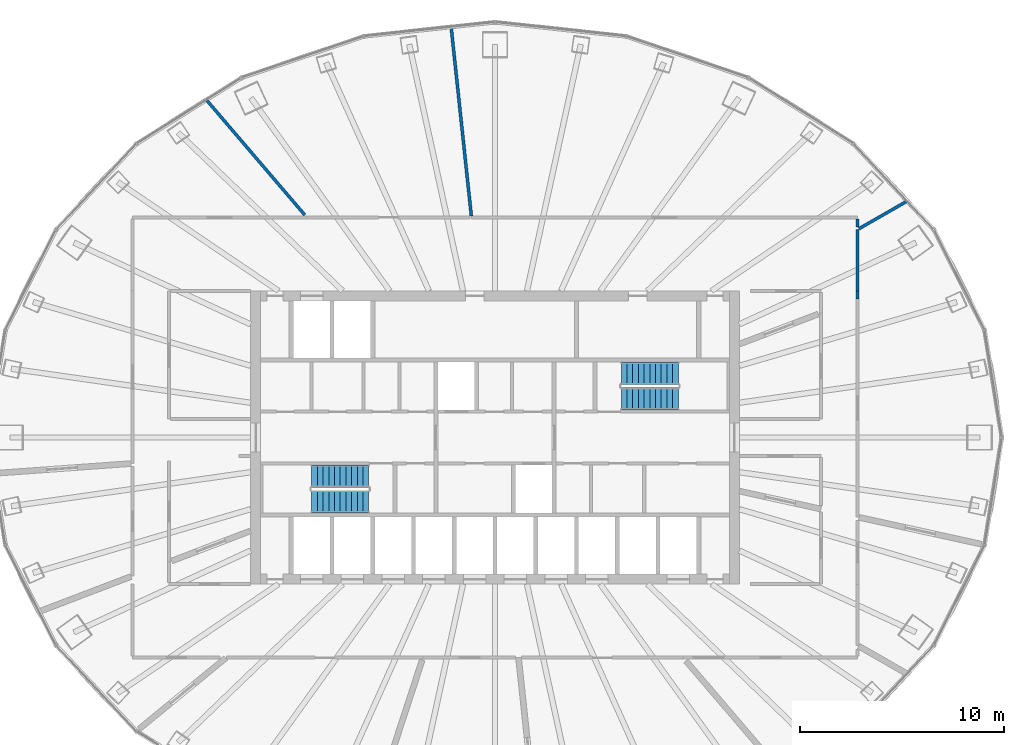
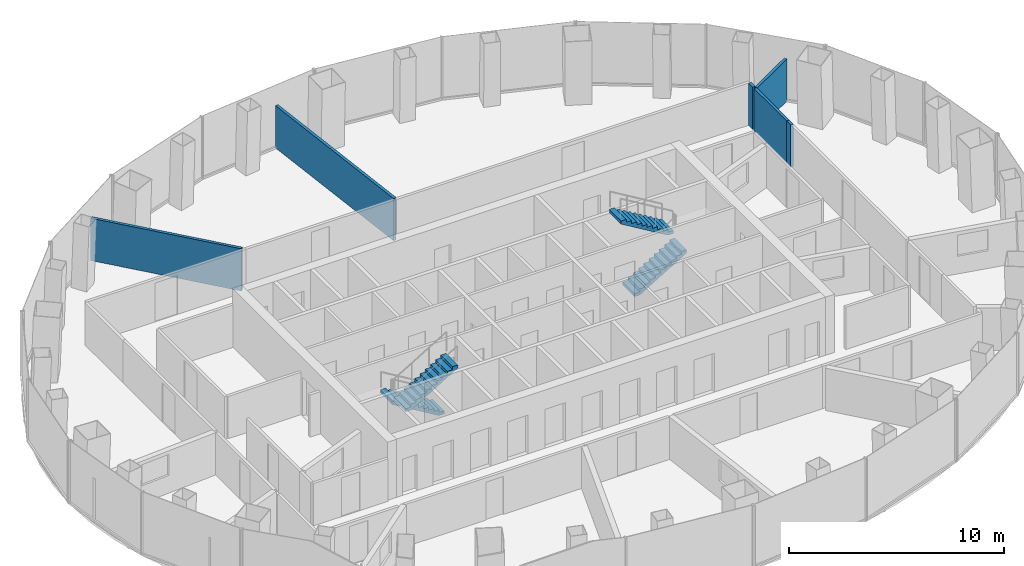
# One storey, part 11 of 12: 6 walls, 4 stair flights, 2 elements without a shape of their own.
"""IFC4 building model written with IfcOpenShell, lengths in metres."""

from ifc_helpers import new_model, si_unit, direction, frame, frame_2d, origin, place, context, subcontext, project, spatial, polyline, rectangle, outline, extrude, material, layer, layer_set, type_object, element, aggregate, save


model = new_model("IFC4")

# Units and contexts
model_context = context("Model", 3, precision=1e-05, world=origin(), true_north=direction((0.0, 1.0)))
body_context = subcontext(model_context, "Body", "Model", "MODEL_VIEW")
ifc_project = project(units=[si_unit("LENGTHUNIT", "METRE"), si_unit("AREAUNIT", "SQUARE_METRE"), si_unit("VOLUMEUNIT", "CUBIC_METRE"), si_unit("PLANEANGLEUNIT", "RADIAN"), si_unit("MASSUNIT", "GRAM", prefix="KILO")], contexts=[model_context])

# Site, building, storey
site_placement = place(None, origin())
site = spatial("IfcSite", under=ifc_project, at=site_placement, CompositionType="ELEMENT")
building_placement = place(site_placement, origin())
building = spatial("IfcBuilding", under=site, at=building_placement, Name="Siaravel Broadcast Tower", CompositionType="ELEMENT")
storey_placement = place(building_placement, frame((0.0, 0.0, 134.10009765625)))
storey = spatial("IfcBuildingStorey", under=building, at=storey_placement, Name="L32", CompositionType="ELEMENT", Elevation=134.10009765625)

# Walls
ifc_material_1 = material(Name="Gypsum board partition", Category="gypsum")
ifc_layer_1 = layer(ifc_material_1, 0.14990234375)
ifc_layer_set_1 = layer_set([ifc_layer_1], Name="Gypsum board partition")
wall_type_1 = type_object("IfcWallType", Name="Corridor wall 150", PredefinedType="PARTITIONING", material=ifc_layer_set_1)
wall_1_placement = place(storey_placement, frame((17.800048828125, 7.18798828125, 0.0), z_axis=(0.0, 0.0, 1.0), x_axis=(0.0, 1.0, 0.0)))
element("IfcWall", 1, at=wall_1_placement, inside=storey, type_object=wall_type_1, Name="L32 partition 39", PredefinedType="PARTITIONING", context=body_context, shape_type="SweptSolid", body=[
    extrude(rectangle(XDim=3.021240234375, YDim=0.14990234375, at=frame_2d((1.5107421875, 0.0))), origin(), (0.0, 0.0, 1.0), 2.39990234375),
])
wall_2_placement = place(storey_placement, frame((17.800048828125, 10.3408203125, 0.0), z_axis=(0.0, 0.0, 1.0), x_axis=(0.0, 1.0, 0.0)))
element("IfcWall", 2, at=wall_2_placement, inside=storey, type_object=wall_type_1, Name="L32 partition 46", PredefinedType="PARTITIONING", context=body_context, shape_type="SweptSolid", body=[
    extrude(rectangle(XDim=0.382080078125, YDim=0.14990234375, at=frame_2d((0.19091796875, 0.0))), origin(), (0.0, 0.0, 1.0), 2.39990234375),
])
wall_3_placement = place(storey_placement, frame((17.800048828125, 6.798828125, 0.0), z_axis=(0.0, 0.0, 1.0), x_axis=(0.0, 1.0, 0.0)))
element("IfcWall", 3, at=wall_3_placement, inside=storey, type_object=wall_type_1, Name="L32 partition 48", PredefinedType="PARTITIONING", context=body_context, shape_type="SweptSolid", body=[
    extrude(rectangle(XDim=0.38818359375, YDim=0.14990234375, at=frame_2d((0.194091796875, 0.0))), origin(), (0.0, 0.0, 1.0), 2.39990234375),
])
ifc_layer_2 = layer(ifc_material_1, 0.14990234375)
ifc_layer_set_2 = layer_set([ifc_layer_2], Name="Gypsum board partition")
wall_type_2 = type_object("IfcWallType", Name="Room partition 150", PredefinedType="PARTITIONING", material=ifc_layer_set_2)
wall_4_placement = place(storey_placement, frame((-2.152099609375, 20.147705078125, 0.0), z_axis=(0.0, 0.0, 1.0), x_axis=(0.106226181, -0.994341993, 0.0)))
element("IfcWall", 4, at=wall_4_placement, inside=storey, type_object=wall_type_2, Name="L32 partition 4", PredefinedType="PARTITIONING", context=body_context, shape_type="SweptSolid", body=[
    extrude(rectangle(XDim=9.32421875, YDim=0.14990234375, at=frame_2d((4.662109375, 0.0))), origin(), (0.0, 0.0, 1.0), 2.39990234375),
])
wall_5_placement = place(storey_placement, frame((-14.1669921875, 16.572998046875, 0.0), z_axis=(0.0, 0.0, 1.0), x_axis=(0.64976247, -0.760137312, 0.0)))
element("IfcWall", 5, at=wall_5_placement, inside=storey, type_object=wall_type_2, Name="L32 partition 12", PredefinedType="PARTITIONING", context=body_context, shape_type="SweptSolid", body=[
    extrude(rectangle(XDim=7.429931640625, YDim=0.14990234375, at=frame_2d((3.71484375, 0.0))), origin(), (0.0, 0.0, 1.0), 2.39990234375),
])
wall_6_placement = place(storey_placement, frame((17.858154296875, 10.24267578125, 0.0), z_axis=(0.0, 0.0, 1.0), x_axis=(0.867454205, 0.497517037, 0.0)))
element("IfcWall", 6, at=wall_6_placement, inside=storey, type_object=wall_type_2, Name="L32 partition 40", PredefinedType="PARTITIONING", context=body_context, shape_type="SweptSolid", body=[
    extrude(rectangle(XDim=2.74609375, YDim=0.14990234375, at=frame_2d((1.373046875, 0.0))), origin(), (0.0, 0.0, 1.0), 2.39990234375),
])

# Stair, stair flights
ifc_material_2 = material(Name="Concrete C40/50", Category="concrete")
stair_type = type_object("IfcStairType", Name="Core exit stair", PredefinedType="HALF_TURN_STAIR", material=ifc_material_2)
stair_1_placement = place(storey_placement, origin())
stair_1 = element("IfcStair", 7, at=stair_1_placement, inside=storey, type_object=stair_type, Name="L32 Exit stair ST-1", PredefinedType="HALF_TURN_STAIR")
stair_flight_type = type_object("IfcStairFlightType", Name="Stair flight 1100", PredefinedType="STRAIGHT", material=ifc_material_2)
stair_flight_1_placement = place(storey_placement, frame((-6.199951171875, -1.89990234375, 0.0), z_axis=(0.0, 0.0, 1.0), x_axis=(-1.0, 0.0, 0.0)))
stair_flight_1 = element("IfcStairFlight", 8, at=stair_flight_1_placement, type_object=stair_flight_type, Name="ST-1 flight 1", NumberOfRisers=11, NumberOfTreads=10, PredefinedType="STRAIGHT", RiserHeight=0.1681818, TreadLength=0.28, context=body_context, shape_type="SweptSolid", body=[
    extrude(outline(polyline([(0.0, 0.0), (0.0, 0.168212890625), (0.280029296875, 0.168212890625), (0.280029296875, 0.33642578125), (0.56005859375, 0.33642578125), (0.56005859375, 0.504638671875), (0.840087890625, 0.504638671875), (0.840087890625, 0.672607421875), (1.1201171875, 0.672607421875), (1.1201171875, 0.8408203125), (1.39990234375, 0.8408203125), (1.39990234375, 1.009033203125), (1.679931640625, 1.009033203125), (1.679931640625, 1.17724609375), (1.9599609375, 1.17724609375), (1.9599609375, 1.345458984375), (2.239990234375, 1.345458984375), (2.239990234375, 1.513671875), (2.52001953125, 1.513671875), (2.52001953125, 1.681884765625), (2.800048828125, 1.681884765625), (2.800048828125, 1.85009765625), (2.800048828125, 1.5068359375), (0.291015625, 0.0), (0.0, 0.0)])), frame((0.0, 0.550048828125, 0.0), z_axis=(0.0, -1.0, 0.0), x_axis=(1.0, 0.0, 0.0)), (0.0, 0.0, 1.0), 1.10009765625),
])
stair_flight_2_placement = place(storey_placement, frame((-9.0, -3.14990234375, 1.849853515625), z_axis=(0.0, 0.0, 1.0), x_axis=(1.0, 0.0, 0.0)))
stair_flight_2 = element("IfcStairFlight", 9, at=stair_flight_2_placement, type_object=stair_flight_type, Name="ST-1 flight 2", NumberOfRisers=11, NumberOfTreads=10, PredefinedType="STRAIGHT", RiserHeight=0.1681818, TreadLength=0.28, context=body_context, shape_type="SweptSolid", body=[
    extrude(outline(polyline([(0.0, 0.0), (0.0, 0.168212890625), (0.280029296875, 0.168212890625), (0.280029296875, 0.33642578125), (0.56005859375, 0.33642578125), (0.56005859375, 0.504638671875), (0.840087890625, 0.504638671875), (0.840087890625, 0.672607421875), (1.1201171875, 0.672607421875), (1.1201171875, 0.8408203125), (1.39990234375, 0.8408203125), (1.39990234375, 1.009033203125), (1.679931640625, 1.009033203125), (1.679931640625, 1.17724609375), (1.9599609375, 1.17724609375), (1.9599609375, 1.345458984375), (2.239990234375, 1.345458984375), (2.239990234375, 1.513671875), (2.52001953125, 1.513671875), (2.52001953125, 1.681884765625), (2.800048828125, 1.681884765625), (2.800048828125, 1.85009765625), (2.800048828125, 1.5068359375), (0.291015625, 0.0), (0.0, 0.0)])), frame((0.0, 0.550048828125, 0.0), z_axis=(0.0, -1.0, 0.0), x_axis=(1.0, 0.0, 0.0)), (0.0, 0.0, 1.0), 1.10009765625),
])
aggregate(stair_1, [stair_flight_1, stair_flight_2])

stair_2_placement = place(storey_placement, origin())
stair_2 = element("IfcStair", 10, at=stair_2_placement, inside=storey, type_object=stair_type, Name="L32 Exit stair ST-2", PredefinedType="HALF_TURN_STAIR")
stair_flight_3_placement = place(storey_placement, frame((6.199951171875, 1.89990234375, 0.0), z_axis=(0.0, 0.0, 1.0), x_axis=(1.0, 0.0, 0.0)))
stair_flight_3 = element("IfcStairFlight", 11, at=stair_flight_3_placement, type_object=stair_flight_type, Name="ST-2 flight 1", NumberOfRisers=11, NumberOfTreads=10, PredefinedType="STRAIGHT", RiserHeight=0.1681818, TreadLength=0.28, context=body_context, shape_type="SweptSolid", body=[
    extrude(outline(polyline([(0.0, 0.0), (0.0, 0.168212890625), (0.280029296875, 0.168212890625), (0.280029296875, 0.33642578125), (0.56005859375, 0.33642578125), (0.56005859375, 0.504638671875), (0.840087890625, 0.504638671875), (0.840087890625, 0.672607421875), (1.1201171875, 0.672607421875), (1.1201171875, 0.8408203125), (1.39990234375, 0.8408203125), (1.39990234375, 1.009033203125), (1.679931640625, 1.009033203125), (1.679931640625, 1.17724609375), (1.9599609375, 1.17724609375), (1.9599609375, 1.345458984375), (2.239990234375, 1.345458984375), (2.239990234375, 1.513671875), (2.52001953125, 1.513671875), (2.52001953125, 1.681884765625), (2.800048828125, 1.681884765625), (2.800048828125, 1.85009765625), (2.800048828125, 1.5068359375), (0.291015625, 0.0), (0.0, 0.0)])), frame((0.0, 0.550048828125, 0.0), z_axis=(0.0, -1.0, 0.0), x_axis=(1.0, 0.0, 0.0)), (0.0, 0.0, 1.0), 1.10009765625),
])
stair_flight_4_placement = place(storey_placement, frame((9.0, 3.14990234375, 1.849853515625), z_axis=(0.0, 0.0, 1.0), x_axis=(-1.0, 0.0, 0.0)))
stair_flight_4 = element("IfcStairFlight", 12, at=stair_flight_4_placement, type_object=stair_flight_type, Name="ST-2 flight 2", NumberOfRisers=11, NumberOfTreads=10, PredefinedType="STRAIGHT", RiserHeight=0.1681818, TreadLength=0.28, context=body_context, shape_type="SweptSolid", body=[
    extrude(outline(polyline([(0.0, 0.0), (0.0, 0.168212890625), (0.280029296875, 0.168212890625), (0.280029296875, 0.33642578125), (0.56005859375, 0.33642578125), (0.56005859375, 0.504638671875), (0.840087890625, 0.504638671875), (0.840087890625, 0.672607421875), (1.1201171875, 0.672607421875), (1.1201171875, 0.8408203125), (1.39990234375, 0.8408203125), (1.39990234375, 1.009033203125), (1.679931640625, 1.009033203125), (1.679931640625, 1.17724609375), (1.9599609375, 1.17724609375), (1.9599609375, 1.345458984375), (2.239990234375, 1.345458984375), (2.239990234375, 1.513671875), (2.52001953125, 1.513671875), (2.52001953125, 1.681884765625), (2.800048828125, 1.681884765625), (2.800048828125, 1.85009765625), (2.800048828125, 1.5068359375), (0.291015625, 0.0), (0.0, 0.0)])), frame((0.0, 0.550048828125, 0.0), z_axis=(0.0, -1.0, 0.0), x_axis=(1.0, 0.0, 0.0)), (0.0, 0.0, 1.0), 1.10009765625),
])
aggregate(stair_2, [stair_flight_3, stair_flight_4])

save(model, "model.ifc")
